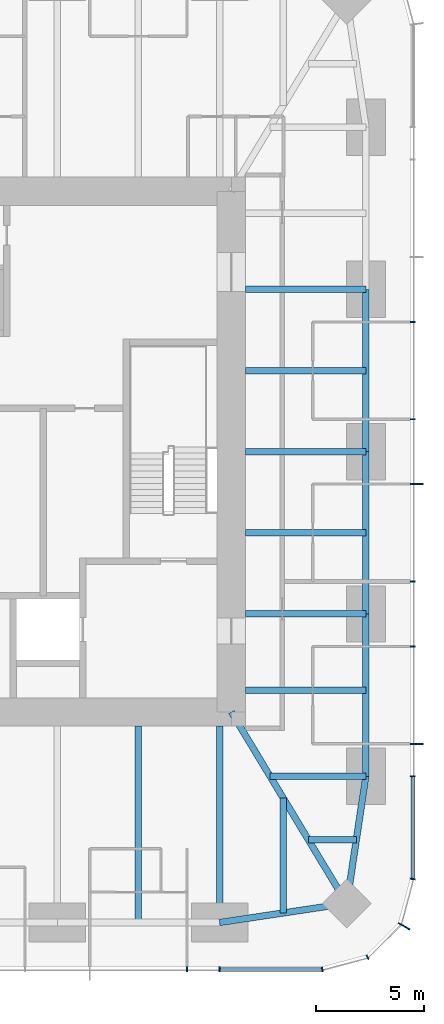
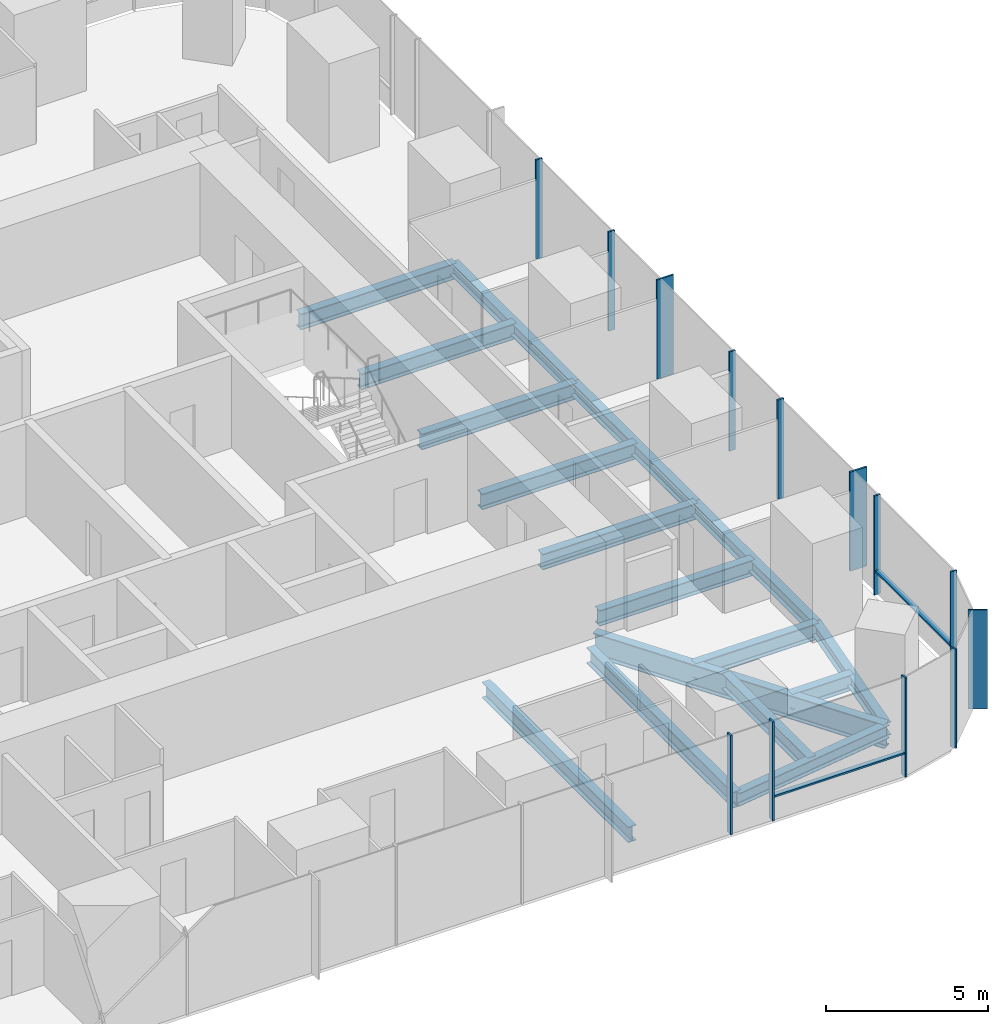
# One storey, part 4 of 12: 17 beams, 15 members, 3 elements without a shape of their own.
"""IFC4 building model written with IfcOpenShell, lengths in metres."""

from ifc_helpers import new_model, si_unit, direction, frame, origin, origin_2d, place, context, subcontext, project, spatial, rectangle, i_section, extrude, material, material_profile, profile_set, type_object, element, aggregate, save


model = new_model("IFC4")

# Units and contexts
model_context = context("Model", 3, precision=1e-05, world=origin(), true_north=direction((0.0, 1.0)))
body_context = subcontext(model_context, "Body", "Model", "MODEL_VIEW")
ifc_project = project(units=[si_unit("LENGTHUNIT", "METRE"), si_unit("AREAUNIT", "SQUARE_METRE"), si_unit("VOLUMEUNIT", "CUBIC_METRE"), si_unit("PLANEANGLEUNIT", "RADIAN"), si_unit("MASSUNIT", "GRAM", prefix="KILO")], contexts=[model_context])

# Site, building, storey
site_placement = place(None, origin())
site = spatial("IfcSite", under=ifc_project, at=site_placement, CompositionType="ELEMENT")
building_placement = place(site_placement, origin())
building = spatial("IfcBuilding", under=site, at=building_placement, Name="Khuree Lantern Residences", CompositionType="ELEMENT")
storey_placement = place(building_placement, frame((0.0, 0.0, 293.25)))
storey = spatial("IfcBuildingStorey", under=building, at=storey_placement, Name="L73", CompositionType="ELEMENT", Elevation=293.25)

# Beams
ifc_material_1 = material(Name="Steel S355", Category="steel")
ifc_material_profile_1 = material_profile(ifc_material_1, i_section(OverallWidth=0.300048828125, OverallDepth=0.590087890625, WebThickness=0.012939453125, FlangeThickness=0.02490234375, FilletRadius=0.027099609375, at=origin_2d()), Name="HE 600 A")
ifc_profile_set_1 = profile_set([ifc_material_profile_1], Name="Steel S355")
beam_type_1 = type_object("IfcBeamType", Name="B-41A SECONDARY BEAM HE 600 A", PredefinedType="BEAM", material=ifc_profile_set_1)
for number, where, z_axis, x_axis, name in (
    (1, (21.699951171875, 3.739990234375, -0.544921875), (-1.0, 0.0, 0.0), (0.0, -1.0, 0.0), "Secondary beam E3"),
    (2, (21.699951171875, -3.739990234375, -0.544921875), (-1.0, 0.0, 0.0), (0.0, -1.0, 0.0), "Secondary beam E4"),
    (3, (21.699951171875, -11.0, -0.544921875), (-1.0, 0.0, 0.0), (0.0, -1.0, 0.0), "Secondary beam E5"),
):
    element("IfcBeam", number, at=place(storey_placement, frame(where, z_axis=z_axis, x_axis=x_axis)), inside=storey, type_object=beam_type_1, Name=name, PredefinedType="BEAM", context=body_context, shape_type="SweptSolid", body=[
        extrude(i_section(OverallWidth=0.300048828125, OverallDepth=0.590087890625, WebThickness=0.012939453125, FlangeThickness=0.02490234375, FilletRadius=0.027099609375, at=origin_2d()), origin(), (0.0, 0.0, 1.0), 5.550048828125),
    ])
beam_1_placement = place(storey_placement, frame((21.2607421875, -17.890625, -0.544921875), z_axis=(-1.0, 0.0, 0.0), x_axis=(0.0, -1.0, 0.0)))
element("IfcBeam", 4, at=beam_1_placement, inside=storey, type_object=beam_type_1, Name="Secondary beam E6", PredefinedType="BEAM", context=body_context, shape_type="SweptSolid", body=[
    extrude(i_section(OverallWidth=0.300048828125, OverallDepth=0.590087890625, WebThickness=0.012939453125, FlangeThickness=0.02490234375, FilletRadius=0.027099609375, at=origin_2d()), origin(), (0.0, 0.0, 1.0), 2.207275390625),
])
beam_2_placement = place(storey_placement, frame((17.890625, -21.2607421875, -0.544921875), z_axis=(0.0, 1.0, 0.0), x_axis=(-1.0, 0.0, 0.0)))
element("IfcBeam", 5, at=beam_2_placement, inside=storey, type_object=beam_type_1, Name="Secondary beam S1", PredefinedType="BEAM", context=body_context, shape_type="SweptSolid", body=[
    extrude(i_section(OverallWidth=0.300048828125, OverallDepth=0.590087890625, WebThickness=0.012939453125, FlangeThickness=0.02490234375, FilletRadius=0.027099609375, at=origin_2d()), origin(), (0.0, 0.0, 1.0), 5.297607421875),
])
beam_3_placement = place(storey_placement, frame((11.219970703125, -21.699951171875, -0.544921875), z_axis=(0.0, 1.0, 0.0), x_axis=(-1.0, 0.0, 0.0)))
element("IfcBeam", 6, at=beam_3_placement, inside=storey, type_object=beam_type_1, Name="Secondary beam S2", PredefinedType="BEAM", context=body_context, shape_type="SweptSolid", body=[
    extrude(i_section(OverallWidth=0.300048828125, OverallDepth=0.590087890625, WebThickness=0.012939453125, FlangeThickness=0.02490234375, FilletRadius=0.027099609375, at=origin_2d()), origin(), (0.0, 0.0, 1.0), 9.050048828125),
])
ifc_material_profile_2 = material_profile(ifc_material_1, i_section(OverallWidth=0.300048828125, OverallDepth=0.489990234375, WebThickness=0.011962890625, FlangeThickness=0.02294921875, FilletRadius=0.027099609375, at=origin_2d()), Name="HE 500 A")
ifc_profile_set_2 = profile_set([ifc_material_profile_2], Name="Steel S355")
beam_type_2 = type_object("IfcBeamType", Name="E-41 SPANDREL BEAM HE 500 A", PredefinedType="SPANDREL", material=ifc_profile_set_2)
for number, where, z_axis, x_axis, name in (
    (7, (21.699951171875, 7.47998046875, -0.4951171875), (0.0, -1.0, 0.0), (1.0, 0.0, 0.0), "Spandrel beam E3"),
    (8, (21.699951171875, 0.0, -0.4951171875), (0.0, -1.0, 0.0), (1.0, 0.0, 0.0), "Spandrel beam E4"),
    (9, (21.699951171875, -7.47998046875, -0.4951171875), (0.0, -1.0, 0.0), (1.0, 0.0, 0.0), "Spandrel beam E5"),
):
    element("IfcBeam", number, at=place(storey_placement, frame(where, z_axis=z_axis, x_axis=x_axis)), inside=storey, type_object=beam_type_2, Name=name, PredefinedType="SPANDREL", context=body_context, shape_type="SweptSolid", body=[
        extrude(i_section(OverallWidth=0.300048828125, OverallDepth=0.489990234375, WebThickness=0.011962890625, FlangeThickness=0.02294921875, FilletRadius=0.027099609375, at=origin_2d()), origin(), (0.0, 0.0, 1.0), 7.47998046875),
    ])
for number, where, z_axis, x_axis, name in (
    (10, (21.699951171875, -14.9599609375, -0.4951171875), (-0.148251822985, -0.988949643299, 0.0), (0.988949643299, -0.148251822985, 0.0), "Spandrel beam E6"),
    (11, (20.8212890625, -20.8212890625, -0.4951171875), (-0.988949643299, -0.148251822985, 0.0), (0.148251822985, -0.988949643299, 0.0), "Spandrel beam S1"),
):
    element("IfcBeam", number, at=place(storey_placement, frame(where, z_axis=z_axis, x_axis=x_axis)), inside=storey, type_object=beam_type_2, Name=name, PredefinedType="SPANDREL", context=body_context, shape_type="SweptSolid", body=[
        extrude(i_section(OverallWidth=0.300048828125, OverallDepth=0.489990234375, WebThickness=0.011962890625, FlangeThickness=0.02294921875, FilletRadius=0.027099609375, at=origin_2d()), origin(), (0.0, 0.0, 1.0), 5.9267578125),
    ])

# Curtain wall, member
ifc_material_2 = material(Name="Bronze anodised aluminium", Category="aluminium")
curtain_wall_type_1 = type_object("IfcCurtainWallType", Name="CW-T2 TOWER CORNER CURTAIN WALL", PredefinedType="USERDEFINED", material=ifc_material_2)
curtain_wall_1_placement = place(storey_placement, origin())
curtain_wall_1 = element("IfcCurtainWall", 12, at=curtain_wall_1_placement, inside=storey, type_object=curtain_wall_type_1, Name="L73 SOUTH-EAST CORNER CURTAIN WALL", ObjectType="Faceted corner curtain wall", PredefinedType="USERDEFINED")
ifc_material_profile_3 = material_profile(ifc_material_2, rectangle(XDim=0.06494140625, YDim=0.60009765625, at=origin_2d()), Name="F1 65X600")
ifc_profile_set_3 = profile_set([ifc_material_profile_3], Name="Bronze anodised aluminium")
member_type_1 = type_object("IfcMemberType", Name="F1 BRONZE FIN MULLION TOWER 65X600", PredefinedType="MULLION", material=ifc_profile_set_3)
member_1_placement = place(storey_placement, frame((23.46728515625, -21.875, 0.0), z_axis=(0.0, 0.0, 1.0), x_axis=(0.49999994149, 0.866025437565, 0.0)))
member_1 = element("IfcMember", 13, at=member_1_placement, type_object=member_type_1, Name="L73 SOUTH-EAST CORNER FIN MULLION 3", PredefinedType="MULLION", context=body_context, shape_type="SweptSolid", body=[
    extrude(rectangle(XDim=0.06494140625, YDim=0.60009765625, at=origin_2d()), origin(), (0.0, 0.0, 1.0), 3.75),
])

# Curtain wall, members
curtain_wall_type_2 = type_object("IfcCurtainWallType", Name="CW-T1 TOWER FACE CURTAIN WALL", PredefinedType="USERDEFINED", material=ifc_material_2)
curtain_wall_2_placement = place(storey_placement, origin())
curtain_wall_2 = element("IfcCurtainWall", 14, at=curtain_wall_2_placement, inside=storey, type_object=curtain_wall_type_2, Name="L73 EAST FACE CURTAIN WALL", ObjectType="Stick-built curtain wall", PredefinedType="USERDEFINED")
member_2_placement = place(storey_placement, frame((24.050048828125, -13.464111328125, 0.0), z_axis=(0.0, 0.0, 1.0), x_axis=(0.0, 1.0, 0.0)))
member_2 = element("IfcMember", 15, at=member_2_placement, type_object=member_type_1, Name="L73 EAST FACE FIN MULLION 6", PredefinedType="MULLION", context=body_context, shape_type="SweptSolid", body=[
    extrude(rectangle(XDim=0.06494140625, YDim=0.60009765625, at=origin_2d()), origin(), (0.0, 0.0, 1.0), 3.75),
])
member_3_placement = place(storey_placement, frame((24.050048828125, -1.49609375, 0.0), z_axis=(0.0, 0.0, 1.0), x_axis=(0.0, 1.0, 0.0)))
member_3 = element("IfcMember", 16, at=member_3_placement, type_object=member_type_1, Name="L73 EAST FACE FIN MULLION 9", PredefinedType="MULLION", context=body_context, shape_type="SweptSolid", body=[
    extrude(rectangle(XDim=0.06494140625, YDim=0.60009765625, at=origin_2d()), origin(), (0.0, 0.0, 1.0), 3.75),
])

# Beams
ifc_material_profile_4 = material_profile(ifc_material_1, i_section(OverallWidth=0.300048828125, OverallDepth=0.60009765625, WebThickness=0.015380859375, FlangeThickness=0.030029296875, FilletRadius=0.027099609375, at=origin_2d()), Name="HE 600 B")
ifc_profile_set_4 = profile_set([ifc_material_profile_4], Name="Steel S355")
beam_type_3 = type_object("IfcBeamType", Name="G-41 GIRDER HE 600 B", PredefinedType="BEAM", material=ifc_profile_set_4)
for number, where, z_axis, x_axis, name in (
    (17, (21.699951171875, 7.47998046875, -0.550048828125), (-1.0, 0.0, 0.0), (0.0, -1.0, 0.0), "Girder E2"),
    (18, (21.699951171875, 0.0, -0.550048828125), (-1.0, 0.0, 0.0), (0.0, -1.0, 0.0), "Girder E3"),
    (19, (21.699951171875, -7.47998046875, -0.550048828125), (-1.0, 0.0, 0.0), (0.0, -1.0, 0.0), "Girder E4"),
):
    element("IfcBeam", number, at=place(storey_placement, frame(where, z_axis=z_axis, x_axis=x_axis)), inside=storey, type_object=beam_type_3, Name=name, PredefinedType="BEAM", context=body_context, shape_type="SweptSolid", body=[
        extrude(i_section(OverallWidth=0.300048828125, OverallDepth=0.60009765625, WebThickness=0.015380859375, FlangeThickness=0.030029296875, FilletRadius=0.027099609375, at=origin_2d()), origin(), (0.0, 0.0, 1.0), 5.550048828125),
    ])
beam_4_placement = place(storey_placement, frame((21.699951171875, -14.9599609375, -0.550048828125), z_axis=(-1.0, 0.0, 0.0), x_axis=(0.0, -1.0, 0.0)))
element("IfcBeam", 20, at=beam_4_placement, inside=storey, type_object=beam_type_3, Name="Girder E5", PredefinedType="BEAM", context=body_context, shape_type="SweptSolid", body=[
    extrude(i_section(OverallWidth=0.300048828125, OverallDepth=0.60009765625, WebThickness=0.015380859375, FlangeThickness=0.030029296875, FilletRadius=0.027099609375, at=origin_2d()), origin(), (0.0, 0.0, 1.0), 4.414306640625),
])
beam_5_placement = place(storey_placement, frame((14.9599609375, -21.699951171875, -0.550048828125), z_axis=(0.0, 1.0, 0.0), x_axis=(-1.0, 0.0, 0.0)))
element("IfcBeam", 21, at=beam_5_placement, inside=storey, type_object=beam_type_3, Name="Girder S1", PredefinedType="BEAM", context=body_context, shape_type="SweptSolid", body=[
    extrude(i_section(OverallWidth=0.300048828125, OverallDepth=0.60009765625, WebThickness=0.015380859375, FlangeThickness=0.030029296875, FilletRadius=0.027099609375, at=origin_2d()), origin(), (0.0, 0.0, 1.0), 9.050048828125),
])
ifc_material_profile_5 = material_profile(ifc_material_1, i_section(OverallWidth=0.300048828125, OverallDepth=0.89990234375, WebThickness=0.0185546875, FlangeThickness=0.034912109375, FilletRadius=0.030029296875, at=origin_2d()), Name="HE 900 B")
ifc_profile_set_5 = profile_set([ifc_material_profile_5], Name="Steel S355")
beam_type_4 = type_object("IfcBeamType", Name="GD-41 CORNER GIRDER HE 900 B", PredefinedType="BEAM", material=ifc_profile_set_5)
beam_6_placement = place(storey_placement, frame((20.8212890625, -20.8212890625, -0.699951171875), z_axis=(-0.516529577604, 0.856269347495, 0.0), x_axis=(-0.856269347495, -0.516529577604, 0.0)))
element("IfcBeam", 22, at=beam_6_placement, inside=storey, type_object=beam_type_4, Name="Corner girder SE", PredefinedType="BEAM", context=body_context, shape_type="SweptSolid", body=[
    extrude(i_section(OverallWidth=0.300048828125, OverallDepth=0.89990234375, WebThickness=0.0185546875, FlangeThickness=0.034912109375, FilletRadius=0.030029296875, at=origin_2d()), origin(), (0.0, 0.0, 1.0), 10.302001953125),
])

# Member
ifc_material_profile_6 = material_profile(ifc_material_2, rectangle(XDim=0.06494140625, YDim=0.219970703125, at=origin_2d()), Name="M1 65X220")
ifc_profile_set_6 = profile_set([ifc_material_profile_6], Name="Bronze anodised aluminium")
member_type_2 = type_object("IfcMemberType", Name="M1 BRONZE MULLION TOWER 65X220", PredefinedType="MULLION", material=ifc_profile_set_6)
member_4_placement = place(storey_placement, frame((19.695068359375, -23.86181640625, 0.0), z_axis=(0.0, 0.0, 1.0), x_axis=(0.991444870192, 0.130526125236, 0.0)))
member_4 = element("IfcMember", 23, at=member_4_placement, type_object=member_type_2, Name="L73 SOUTH-EAST CORNER MULLION 1", PredefinedType="MULLION", context=body_context, shape_type="SweptSolid", body=[
    extrude(rectangle(XDim=0.06494140625, YDim=0.219970703125, at=origin_2d()), origin(), (0.0, 0.0, 1.0), 3.75),
])

member_5_placement = place(storey_placement, frame((21.780029296875, -23.302734375, 0.0), z_axis=(0.0, 0.0, 1.0), x_axis=(0.866025437565, 0.49999994149, 0.0)))
member_5 = element("IfcMember", 24, at=member_5_placement, type_object=member_type_2, Name="L73 SOUTH-EAST CORNER MULLION 2", PredefinedType="MULLION", context=body_context, shape_type="SweptSolid", body=[
    extrude(rectangle(XDim=0.06494140625, YDim=0.219970703125, at=origin_2d()), origin(), (0.0, 0.0, 1.0), 3.75),
])

aggregate(curtain_wall_1, [member_4, member_5, member_1])

member_6_placement = place(storey_placement, frame((23.86181640625, -19.695068359375, 0.0), z_axis=(0.0, 0.0, 1.0), x_axis=(0.130526125236, 0.991444870192, 0.0)))
member_6 = element("IfcMember", 25, at=member_6_placement, type_object=member_type_2, Name="L73 EAST FACE MULLION 4", PredefinedType="MULLION", context=body_context, shape_type="SweptSolid", body=[
    extrude(rectangle(XDim=0.06494140625, YDim=0.219970703125, at=origin_2d()), origin(), (0.0, 0.0, 1.0), 3.75),
])

member_7_placement = place(storey_placement, frame((23.860107421875, -14.9599609375, 0.0), z_axis=(0.0, 0.0, 1.0), x_axis=(0.0, 1.0, 0.0)))
member_7 = element("IfcMember", 26, at=member_7_placement, type_object=member_type_2, Name="L73 EAST FACE MULLION 5", PredefinedType="MULLION", context=body_context, shape_type="SweptSolid", body=[
    extrude(rectangle(XDim=0.06494140625, YDim=0.219970703125, at=origin_2d()), origin(), (0.0, 0.0, 1.0), 3.75),
])

member_8_placement = place(storey_placement, frame((23.860107421875, -8.97607421875, 0.0), z_axis=(0.0, 0.0, 1.0), x_axis=(0.0, 1.0, 0.0)))
member_8 = element("IfcMember", 27, at=member_8_placement, type_object=member_type_2, Name="L73 EAST FACE MULLION 7", PredefinedType="MULLION", context=body_context, shape_type="SweptSolid", body=[
    extrude(rectangle(XDim=0.06494140625, YDim=0.219970703125, at=origin_2d()), origin(), (0.0, 0.0, 1.0), 3.75),
])

member_9_placement = place(storey_placement, frame((23.860107421875, -5.98388671875, 0.0), z_axis=(0.0, 0.0, 1.0), x_axis=(0.0, 1.0, 0.0)))
member_9 = element("IfcMember", 28, at=member_9_placement, type_object=member_type_2, Name="L73 EAST FACE MULLION 8", PredefinedType="MULLION", context=body_context, shape_type="SweptSolid", body=[
    extrude(rectangle(XDim=0.06494140625, YDim=0.219970703125, at=origin_2d()), origin(), (0.0, 0.0, 1.0), 3.75),
])

member_10_placement = place(storey_placement, frame((23.860107421875, 1.49609375, 0.0), z_axis=(0.0, 0.0, 1.0), x_axis=(0.0, 1.0, 0.0)))
member_10 = element("IfcMember", 29, at=member_10_placement, type_object=member_type_2, Name="L73 EAST FACE MULLION 10", PredefinedType="MULLION", context=body_context, shape_type="SweptSolid", body=[
    extrude(rectangle(XDim=0.06494140625, YDim=0.219970703125, at=origin_2d()), origin(), (0.0, 0.0, 1.0), 3.75),
])

member_11_placement = place(storey_placement, frame((23.860107421875, 5.98388671875, 0.0), z_axis=(0.0, 0.0, 1.0), x_axis=(0.0, 1.0, 0.0)))
member_11 = element("IfcMember", 30, at=member_11_placement, type_object=member_type_2, Name="L73 EAST FACE MULLION 11", PredefinedType="MULLION", context=body_context, shape_type="SweptSolid", body=[
    extrude(rectangle(XDim=0.06494140625, YDim=0.219970703125, at=origin_2d()), origin(), (0.0, 0.0, 1.0), 3.75),
])

# Curtain wall, members
curtain_wall_3_placement = place(storey_placement, origin())
curtain_wall_3 = element("IfcCurtainWall", 31, at=curtain_wall_3_placement, inside=storey, type_object=curtain_wall_type_2, Name="L73 SOUTH FACE CURTAIN WALL", ObjectType="Stick-built curtain wall", PredefinedType="USERDEFINED")
member_12_placement = place(storey_placement, frame((13.464111328125, -23.860107421875, 0.0), z_axis=(0.0, 0.0, 1.0), x_axis=(1.0, 0.0, 0.0)))
member_12 = element("IfcMember", 32, at=member_12_placement, type_object=member_type_2, Name="L73 SOUTH FACE MULLION 55", PredefinedType="MULLION", context=body_context, shape_type="SweptSolid", body=[
    extrude(rectangle(XDim=0.06494140625, YDim=0.219970703125, at=origin_2d()), origin(), (0.0, 0.0, 1.0), 3.75),
])
member_13_placement = place(storey_placement, frame((14.9599609375, -23.860107421875, 0.0), z_axis=(0.0, 0.0, 1.0), x_axis=(1.0, 0.0, 0.0)))
member_13 = element("IfcMember", 33, at=member_13_placement, type_object=member_type_2, Name="L73 SOUTH FACE MULLION 56", PredefinedType="MULLION", context=body_context, shape_type="SweptSolid", body=[
    extrude(rectangle(XDim=0.06494140625, YDim=0.219970703125, at=origin_2d()), origin(), (0.0, 0.0, 1.0), 3.75),
])

# Member
ifc_material_profile_7 = material_profile(ifc_material_2, rectangle(XDim=0.179931640625, YDim=0.06494140625, at=origin_2d()), Name="T1 180X65")
ifc_profile_set_7 = profile_set([ifc_material_profile_7], Name="Bronze anodised aluminium")
member_type_3 = type_object("IfcMemberType", Name="TRANSOM T1 TOWER 180X65", PredefinedType="USERDEFINED", material=ifc_profile_set_7)
member_14_placement = place(storey_placement, frame((23.8701171875, -19.6513671875, 0.89990234375), z_axis=(0.0, 1.0, 0.0), x_axis=(-1.0, 0.0, 0.0)))
member_14 = element("IfcMember", 34, at=member_14_placement, type_object=member_type_3, Name="L73 EAST FACE TRANSOM 4.1", ObjectType="Transom", PredefinedType="USERDEFINED", context=body_context, shape_type="SweptSolid", body=[
    extrude(rectangle(XDim=0.179931640625, YDim=0.06494140625, at=origin_2d()), origin(), (0.0, 0.0, 1.0), 4.658935546875),
])

aggregate(curtain_wall_2, [member_6, member_7, member_2, member_8, member_9, member_3, member_10, member_11, member_14])

member_15_placement = place(storey_placement, frame((14.992431640625, -23.8701171875, 0.89990234375), z_axis=(1.0, 0.0, 0.0), x_axis=(0.0, 1.0, 0.0)))
member_15 = element("IfcMember", 35, at=member_15_placement, type_object=member_type_3, Name="L73 SOUTH FACE TRANSOM 56.1", ObjectType="Transom", PredefinedType="USERDEFINED", context=body_context, shape_type="SweptSolid", body=[
    extrude(rectangle(XDim=0.179931640625, YDim=0.06494140625, at=origin_2d()), origin(), (0.0, 0.0, 1.0), 4.658935546875),
])

aggregate(curtain_wall_3, [member_12, member_13, member_15])

save(model, "model.ifc")
